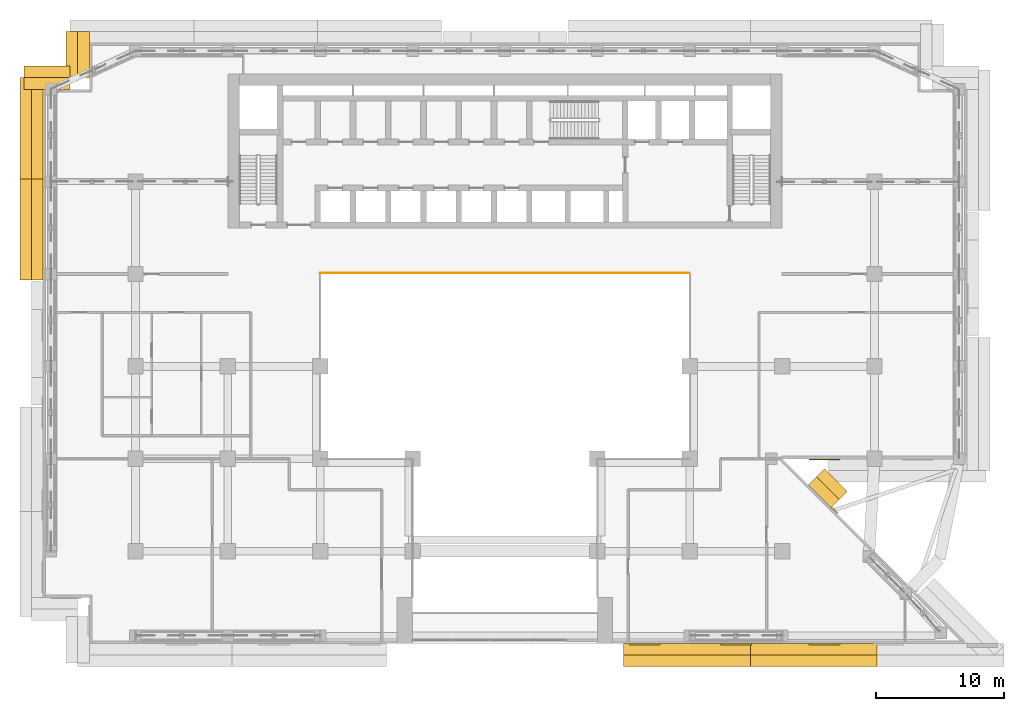
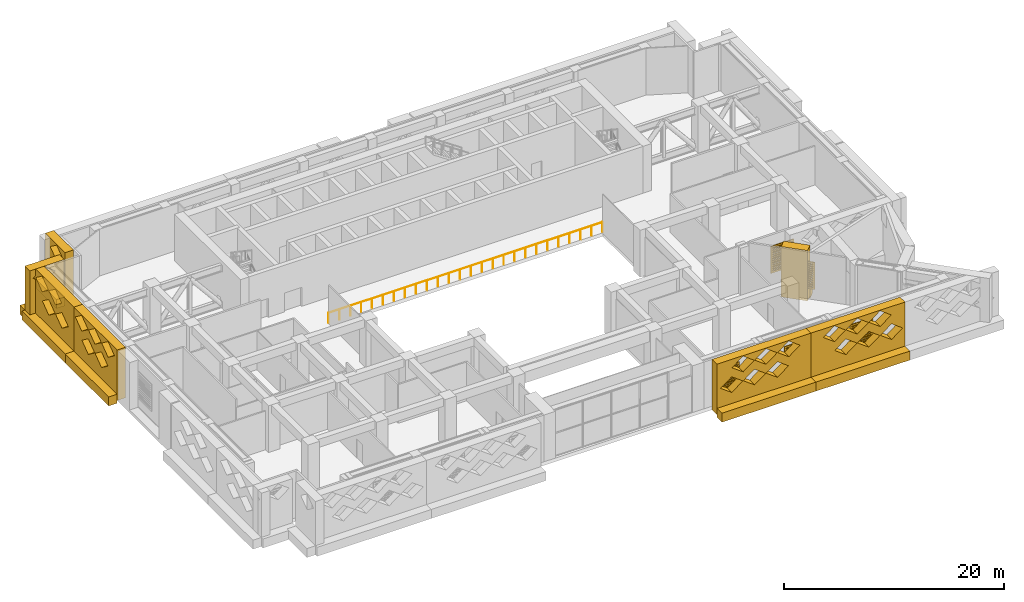
# One storey, part 16 of 19: 19 coverings, 1 railing.
"""IFC4 building model written with IfcOpenShell, lengths in metres."""

from ifc_helpers import new_model, si_unit, direction, frame, origin, origin_2d, place, context, subcontext, project, spatial, polyline, circle, outline, extrude, material, layer, layer_set, type_object, element, save


model = new_model("IFC4")

# Units and contexts
model_context = context("Model", 3, precision=1e-05, world=origin(), true_north=direction((0.0, 1.0)))
body_context = subcontext(model_context, "Body", "Model", "MODEL_VIEW")
ifc_project = project(units=[si_unit("LENGTHUNIT", "METRE"), si_unit("AREAUNIT", "SQUARE_METRE"), si_unit("VOLUMEUNIT", "CUBIC_METRE"), si_unit("PLANEANGLEUNIT", "RADIAN"), si_unit("MASSUNIT", "GRAM", prefix="KILO")], contexts=[model_context])

# Site, building, storey
site_placement = place(None, origin())
site = spatial("IfcSite", under=ifc_project, at=site_placement, CompositionType="ELEMENT")
building_placement = place(site_placement, origin())
building = spatial("IfcBuilding", under=site, at=building_placement, Name="Saffron Iwan Residences", CompositionType="ELEMENT")
storey_placement = place(building_placement, frame((0.0, 0.0, 107.5)))
storey = spatial("IfcBuildingStorey", under=building, at=storey_placement, Name="L28", CompositionType="ELEMENT", Elevation=107.5)

# Railing
ifc_material_1 = material(Name="Stainless steel 316", Category="steel")
railing_type = type_object("IfcRailingType", Name="Atrium guard 1150", PredefinedType="GUARDRAIL", material=ifc_material_1)
railing_placement = place(storey_placement, frame((36.0, 62.47509765625, 0.0)))
element("IfcRailing", 1, at=railing_placement, inside=storey, type_object=railing_type, Name="Atrium guard L28", PredefinedType="GUARDRAIL", context=body_context, shape_type="SweptSolid", body=[
    extrude(circle(Radius=0.02392578125, at=origin_2d()), frame((0.0, 0.0, 1.1259765625), z_axis=(1.0, 0.0, 0.0), x_axis=(0.0, 1.0, 0.0)), (0.0, 0.0, 1.0), 28.800048828125),
    extrude(circle(Radius=0.02099609375, at=origin_2d()), origin(), (0.0, 0.0, 1.0), 1.101806640625),
    extrude(circle(Radius=0.02099609375, at=origin_2d()), frame((1.152099609375, 0.0, 0.0)), (0.0, 0.0, 1.0), 1.101806640625),
    extrude(circle(Radius=0.02099609375, at=origin_2d()), frame((2.303955078125, 0.0, 0.0)), (0.0, 0.0, 1.0), 1.101806640625),
    extrude(circle(Radius=0.02099609375, at=origin_2d()), frame((3.4560546875, 0.0, 0.0)), (0.0, 0.0, 1.0), 1.101806640625),
    extrude(circle(Radius=0.02099609375, at=origin_2d()), frame((4.60791015625, 0.0, 0.0)), (0.0, 0.0, 1.0), 1.101806640625),
    extrude(circle(Radius=0.02099609375, at=origin_2d()), frame((5.760009765625, 0.0, 0.0)), (0.0, 0.0, 1.0), 1.101806640625),
    extrude(circle(Radius=0.02099609375, at=origin_2d()), frame((6.912109375, 0.0, 0.0)), (0.0, 0.0, 1.0), 1.101806640625),
    extrude(circle(Radius=0.02099609375, at=origin_2d()), frame((8.06396484375, 0.0, 0.0)), (0.0, 0.0, 1.0), 1.101806640625),
    extrude(circle(Radius=0.02099609375, at=origin_2d()), frame((9.216064453125, 0.0, 0.0)), (0.0, 0.0, 1.0), 1.101806640625),
    extrude(circle(Radius=0.02099609375, at=origin_2d()), frame((10.367919921875, 0.0, 0.0)), (0.0, 0.0, 1.0), 1.101806640625),
    extrude(circle(Radius=0.02099609375, at=origin_2d()), frame((11.52001953125, 0.0, 0.0)), (0.0, 0.0, 1.0), 1.101806640625),
    extrude(circle(Radius=0.02099609375, at=origin_2d()), frame((12.672119140625, 0.0, 0.0)), (0.0, 0.0, 1.0), 1.101806640625),
    extrude(circle(Radius=0.02099609375, at=origin_2d()), frame((13.823974609375, 0.0, 0.0)), (0.0, 0.0, 1.0), 1.101806640625),
    extrude(circle(Radius=0.02099609375, at=origin_2d()), frame((14.97607421875, 0.0, 0.0)), (0.0, 0.0, 1.0), 1.101806640625),
    extrude(circle(Radius=0.02099609375, at=origin_2d()), frame((16.1279296875, 0.0, 0.0)), (0.0, 0.0, 1.0), 1.101806640625),
    extrude(circle(Radius=0.02099609375, at=origin_2d()), frame((17.280029296875, 0.0, 0.0)), (0.0, 0.0, 1.0), 1.101806640625),
    extrude(circle(Radius=0.02099609375, at=origin_2d()), frame((18.43212890625, 0.0, 0.0)), (0.0, 0.0, 1.0), 1.101806640625),
    extrude(circle(Radius=0.02099609375, at=origin_2d()), frame((19.583984375, 0.0, 0.0)), (0.0, 0.0, 1.0), 1.101806640625),
    extrude(circle(Radius=0.02099609375, at=origin_2d()), frame((20.736083984375, 0.0, 0.0)), (0.0, 0.0, 1.0), 1.101806640625),
    extrude(circle(Radius=0.02099609375, at=origin_2d()), frame((21.887939453125, 0.0, 0.0)), (0.0, 0.0, 1.0), 1.101806640625),
    extrude(circle(Radius=0.02099609375, at=origin_2d()), frame((23.0400390625, 0.0, 0.0)), (0.0, 0.0, 1.0), 1.101806640625),
    extrude(circle(Radius=0.02099609375, at=origin_2d()), frame((24.192138671875, 0.0, 0.0)), (0.0, 0.0, 1.0), 1.101806640625),
    extrude(circle(Radius=0.02099609375, at=origin_2d()), frame((25.343994140625, 0.0, 0.0)), (0.0, 0.0, 1.0), 1.101806640625),
    extrude(circle(Radius=0.02099609375, at=origin_2d()), frame((26.49609375, 0.0, 0.0)), (0.0, 0.0, 1.0), 1.101806640625),
    extrude(circle(Radius=0.02099609375, at=origin_2d()), frame((27.64794921875, 0.0, 0.0)), (0.0, 0.0, 1.0), 1.101806640625),
    extrude(circle(Radius=0.02099609375, at=origin_2d()), frame((28.800048828125, 0.0, 0.0)), (0.0, 0.0, 1.0), 1.101806640625),
])

# Coverings
ifc_material_2 = material(Name="Precast concrete C40/50", Category="concrete")
covering_type_1 = type_object("IfcCoveringType", Name="OUTER SKIN LATTICE SCREEN", PredefinedType="CLADDING", material=ifc_material_2)
covering_1_placement = place(storey_placement, frame((75.805908203125, 44.194091796875, -0.39990234375), z_axis=(0.707106781187, 0.707106781187, 0.0), x_axis=(-0.707106781187, 0.707106781187, 0.0)))
element("IfcCovering", 2, at=covering_1_placement, inside=storey, type_object=covering_type_1, Name="OUTER SKIN lattice screen L28 F0.1", PredefinedType="CLADDING", context=body_context, shape_type="SweptSolid", body=[
    extrude(outline(polyline([(0.0, 0.0), (2.4853515625, 0.0), (2.4853515625, 5.60009765625), (0.0, 5.60009765625), (0.0, 0.0)])), origin(), (0.0, 0.0, 1.0), 0.900146484375),
])
for number, where, z_axis, x_axis, name in (
    (3, (18.0, 81.300048828125, -0.39990234375), (-1.0, 0.0, 0.0), (0.0, -1.0, 0.0), "OUTER SKIN lattice screen L28 F6.0"),
    (4, (16.5, 76.800048828125, -0.39990234375), (0.0, 1.0, 0.0), (-1.0, 0.0, 0.0), "OUTER SKIN lattice screen L28 F7.0"),
):
    element("IfcCovering", number, at=place(storey_placement, frame(where, z_axis=z_axis, x_axis=x_axis)), inside=storey, type_object=covering_type_1, Name=name, PredefinedType="CLADDING", context=body_context, shape_type="SweptSolid", body=[
        extrude(outline(polyline([(0.0, 0.0), (3.60009765625, 0.0), (3.60009765625, 5.60009765625), (0.0, 5.60009765625), (0.0, 0.0)]), holes=[polyline([(0.919921875, 4.666748046875), (2.10009765625, 3.793212890625), (3.280029296875, 4.666748046875), (2.10009765625, 5.5400390625), (0.919921875, 4.666748046875)])]), origin(), (0.0, 0.0, 1.0), 0.89990234375),
    ])
covering_2_placement = place(storey_placement, frame((14.39990234375, 77.699951171875, -0.39990234375), z_axis=(-1.0, 0.0, 0.0), x_axis=(0.0, -1.0, 0.0)))
element("IfcCovering", 5, at=covering_2_placement, inside=storey, type_object=covering_type_1, Name="OUTER SKIN lattice screen L28 F8.0", PredefinedType="CLADDING", context=body_context, shape_type="SweptSolid", body=[
    extrude(outline(polyline([(0.0, 0.0), (7.875, 0.0), (7.875, 5.60009765625), (0.0, 5.60009765625), (0.0, 0.0)]), holes=[polyline([(2.1201171875, 2.800048828125), (3.300048828125, 1.9267578125), (4.47998046875, 2.800048828125), (3.300048828125, 3.67333984375), (2.1201171875, 2.800048828125)]), polyline([(4.52001953125, 2.800048828125), (5.699951171875, 1.9267578125), (6.8798828125, 2.800048828125), (5.699951171875, 3.67333984375), (4.52001953125, 2.800048828125)]), polyline([(0.919921875, 4.666748046875), (2.10009765625, 3.793212890625), (3.280029296875, 4.666748046875), (2.10009765625, 5.5400390625), (0.919921875, 4.666748046875)]), polyline([(3.320068359375, 4.666748046875), (4.5, 3.793212890625), (5.679931640625, 4.666748046875), (4.5, 5.5400390625), (3.320068359375, 4.666748046875)])]), origin(), (0.0, 0.0, 1.0), 0.89990234375),
])
covering_3_placement = place(storey_placement, frame((14.39990234375, 69.824951171875, -0.39990234375), z_axis=(-1.0, 0.0, 0.0), x_axis=(0.0, -1.0, 0.0)))
element("IfcCovering", 6, at=covering_3_placement, inside=storey, type_object=covering_type_1, Name="OUTER SKIN lattice screen L28 F8.1", PredefinedType="CLADDING", context=body_context, shape_type="SweptSolid", body=[
    extrude(outline(polyline([(0.0, 0.0), (7.875, 0.0), (7.875, 5.60009765625), (0.0, 5.60009765625), (0.0, 0.0)]), holes=[polyline([(1.445068359375, 2.800048828125), (2.625, 1.9267578125), (3.804931640625, 2.800048828125), (2.625, 3.67333984375), (1.445068359375, 2.800048828125)]), polyline([(3.844970703125, 2.800048828125), (5.02490234375, 1.9267578125), (6.205078125, 2.800048828125), (5.02490234375, 3.67333984375), (3.844970703125, 2.800048828125)]), polyline([(0.2451171875, 4.666748046875), (1.425048828125, 3.793212890625), (2.60498046875, 4.666748046875), (1.425048828125, 5.5400390625), (0.2451171875, 4.666748046875)]), polyline([(2.64501953125, 4.666748046875), (3.824951171875, 3.793212890625), (5.0048828125, 4.666748046875), (3.824951171875, 5.5400390625), (2.64501953125, 4.666748046875)]), polyline([(5.044921875, 4.666748046875), (6.22509765625, 3.793212890625), (7.405029296875, 4.666748046875), (6.22509765625, 5.5400390625), (5.044921875, 4.666748046875)])]), origin(), (0.0, 0.0, 1.0), 0.89990234375),
])
covering_4_placement = place(storey_placement, frame((59.64990234375, 33.60009765625, -0.39990234375), z_axis=(0.0, -1.0, 0.0), x_axis=(1.0, 0.0, 0.0)))
element("IfcCovering", 7, at=covering_4_placement, inside=storey, type_object=covering_type_1, Name="OUTER SKIN lattice screen L28 F11.2", PredefinedType="CLADDING", context=body_context, shape_type="SweptSolid", body=[
    extrude(outline(polyline([(0.0, 0.0), (9.88232421875, 0.0), (9.88232421875, 5.60009765625), (0.0, 5.60009765625), (0.0, 0.0)]), holes=[polyline([(0.3701171875, 2.800048828125), (1.550048828125, 1.9267578125), (2.72998046875, 2.800048828125), (1.550048828125, 3.67333984375), (0.3701171875, 2.800048828125)]), polyline([(2.77001953125, 2.800048828125), (3.949951171875, 1.9267578125), (5.1298828125, 2.800048828125), (3.949951171875, 3.67333984375), (2.77001953125, 2.800048828125)]), polyline([(5.169921875, 2.800048828125), (6.35009765625, 1.9267578125), (7.530029296875, 2.800048828125), (6.35009765625, 3.67333984375), (5.169921875, 2.800048828125)]), polyline([(1.570068359375, 4.666748046875), (2.75, 3.793212890625), (3.929931640625, 4.666748046875), (2.75, 5.5400390625), (1.570068359375, 4.666748046875)]), polyline([(3.969970703125, 4.666748046875), (5.14990234375, 3.793212890625), (6.330078125, 4.666748046875), (5.14990234375, 5.5400390625), (3.969970703125, 4.666748046875)]), polyline([(6.3701171875, 4.666748046875), (7.550048828125, 3.793212890625), (8.72998046875, 4.666748046875), (7.550048828125, 5.5400390625), (6.3701171875, 4.666748046875)])]), origin(), (0.0, 0.0, 1.0), 0.900146484375),
])
covering_5_placement = place(storey_placement, frame((69.532470703125, 33.60009765625, -0.39990234375), z_axis=(0.0, -1.0, 0.0), x_axis=(1.0, 0.0, 0.0)))
element("IfcCovering", 8, at=covering_5_placement, inside=storey, type_object=covering_type_1, Name="OUTER SKIN lattice screen L28 F11.3", PredefinedType="CLADDING", context=body_context, shape_type="SweptSolid", body=[
    extrude(outline(polyline([(0.0, 0.0), (9.88232421875, 0.0), (9.88232421875, 5.60009765625), (0.0, 5.60009765625), (0.0, 0.0)]), holes=[polyline([(2.487548828125, 2.800048828125), (3.66748046875, 1.9267578125), (4.84765625, 2.800048828125), (3.66748046875, 3.67333984375), (2.487548828125, 2.800048828125)]), polyline([(4.8876953125, 2.800048828125), (6.067626953125, 1.9267578125), (7.24755859375, 2.800048828125), (6.067626953125, 3.67333984375), (4.8876953125, 2.800048828125)]), polyline([(7.28759765625, 2.800048828125), (8.467529296875, 1.9267578125), (9.647705078125, 2.800048828125), (8.467529296875, 3.67333984375), (7.28759765625, 2.800048828125)]), polyline([(1.28759765625, 4.666748046875), (2.467529296875, 3.793212890625), (3.647705078125, 4.666748046875), (2.467529296875, 5.5400390625), (1.28759765625, 4.666748046875)]), polyline([(3.6875, 4.666748046875), (4.86767578125, 3.793212890625), (6.047607421875, 4.666748046875), (4.86767578125, 5.5400390625), (3.6875, 4.666748046875)]), polyline([(6.087646484375, 4.666748046875), (7.267578125, 3.793212890625), (8.447509765625, 4.666748046875), (7.267578125, 5.5400390625), (6.087646484375, 4.666748046875)])]), origin(), (0.0, 0.0, 1.0), 0.900146484375),
])
ifc_material_3 = material(Name="Aluminium 6063-T6 louvre", Category="aluminium")
covering_type_2 = type_object("IfcCoveringType", Name="PLANT LOUVRE PANEL 2400 x 3000", PredefinedType="CLADDING", material=ifc_material_3)
covering_6_placement = place(storey_placement, frame((76.289306640625, 43.710693359375, 1.0), z_axis=(0.708326979978, 0.705884473151, 0.0), x_axis=(-0.705884473151, 0.708326979978, 0.0)))
element("IfcCovering", 9, at=covering_6_placement, inside=storey, type_object=covering_type_2, Name="Plant louvre L28 F0.0", PredefinedType="CLADDING", context=body_context, shape_type="SweptSolid", body=[
    extrude(outline(polyline([(0.0, 0.0), (2.39990234375, 0.0), (2.39990234375, 3.0), (0.0, 3.0), (0.0, 0.0)]), holes=[polyline([(0.14990234375, 0.199951171875), (2.25, 0.199951171875), (2.25, 0.2900390625), (0.14990234375, 0.2900390625), (0.14990234375, 0.199951171875)]), polyline([(0.14990234375, 0.429931640625), (2.25, 0.429931640625), (2.25, 0.52001953125), (0.14990234375, 0.52001953125), (0.14990234375, 0.429931640625)]), polyline([(0.14990234375, 0.659912109375), (2.25, 0.659912109375), (2.25, 0.75), (0.14990234375, 0.75), (0.14990234375, 0.659912109375)]), polyline([(0.14990234375, 0.889892578125), (2.25, 0.889892578125), (2.25, 0.97998046875), (0.14990234375, 0.97998046875), (0.14990234375, 0.889892578125)]), polyline([(0.14990234375, 1.1201171875), (2.25, 1.1201171875), (2.25, 1.2099609375), (0.14990234375, 1.2099609375), (0.14990234375, 1.1201171875)]), polyline([(0.14990234375, 1.35009765625), (2.25, 1.35009765625), (2.25, 1.43994140625), (0.14990234375, 1.43994140625), (0.14990234375, 1.35009765625)]), polyline([(0.14990234375, 1.580078125), (2.25, 1.580078125), (2.25, 1.669921875), (0.14990234375, 1.669921875), (0.14990234375, 1.580078125)]), polyline([(0.14990234375, 1.81005859375), (2.25, 1.81005859375), (2.25, 1.89990234375), (0.14990234375, 1.89990234375), (0.14990234375, 1.81005859375)]), polyline([(0.14990234375, 2.0400390625), (2.25, 2.0400390625), (2.25, 2.1298828125), (0.14990234375, 2.1298828125), (0.14990234375, 2.0400390625)]), polyline([(0.14990234375, 2.27001953125), (2.25, 2.27001953125), (2.25, 2.360107421875), (0.14990234375, 2.360107421875), (0.14990234375, 2.27001953125)]), polyline([(0.14990234375, 2.5), (2.25, 2.5), (2.25, 2.590087890625), (0.14990234375, 2.590087890625), (0.14990234375, 2.5)]), polyline([(0.14990234375, 2.72998046875), (2.25, 2.72998046875), (2.25, 2.820068359375), (0.14990234375, 2.820068359375), (0.14990234375, 2.72998046875)])]), origin(), (0.0, 0.0, 1.0), 0.099853515625),
])
covering_7_placement = place(storey_placement, frame((74.10009765625, 48.0, 1.0), z_axis=(0.0, -1.0, 0.0), x_axis=(1.0, 0.0, 0.0)))
element("IfcCovering", 10, at=covering_7_placement, inside=storey, type_object=covering_type_2, Name="Plant louvre L28 F1.0", PredefinedType="CLADDING", context=body_context, shape_type="SweptSolid", body=[
    extrude(outline(polyline([(0.0, 0.0), (2.39990234375, 0.0), (2.39990234375, 3.0), (0.0, 3.0), (0.0, 0.0)]), holes=[polyline([(0.14990234375, 0.199951171875), (2.25, 0.199951171875), (2.25, 0.2900390625), (0.14990234375, 0.2900390625), (0.14990234375, 0.199951171875)]), polyline([(0.14990234375, 0.429931640625), (2.25, 0.429931640625), (2.25, 0.52001953125), (0.14990234375, 0.52001953125), (0.14990234375, 0.429931640625)]), polyline([(0.14990234375, 0.659912109375), (2.25, 0.659912109375), (2.25, 0.75), (0.14990234375, 0.75), (0.14990234375, 0.659912109375)]), polyline([(0.14990234375, 0.889892578125), (2.25, 0.889892578125), (2.25, 0.97998046875), (0.14990234375, 0.97998046875), (0.14990234375, 0.889892578125)]), polyline([(0.14990234375, 1.1201171875), (2.25, 1.1201171875), (2.25, 1.2099609375), (0.14990234375, 1.2099609375), (0.14990234375, 1.1201171875)]), polyline([(0.14990234375, 1.35009765625), (2.25, 1.35009765625), (2.25, 1.43994140625), (0.14990234375, 1.43994140625), (0.14990234375, 1.35009765625)]), polyline([(0.14990234375, 1.580078125), (2.25, 1.580078125), (2.25, 1.669921875), (0.14990234375, 1.669921875), (0.14990234375, 1.580078125)]), polyline([(0.14990234375, 1.81005859375), (2.25, 1.81005859375), (2.25, 1.89990234375), (0.14990234375, 1.89990234375), (0.14990234375, 1.81005859375)]), polyline([(0.14990234375, 2.0400390625), (2.25, 2.0400390625), (2.25, 2.1298828125), (0.14990234375, 2.1298828125), (0.14990234375, 2.0400390625)]), polyline([(0.14990234375, 2.27001953125), (2.25, 2.27001953125), (2.25, 2.360107421875), (0.14990234375, 2.360107421875), (0.14990234375, 2.27001953125)]), polyline([(0.14990234375, 2.5), (2.25, 2.5), (2.25, 2.590087890625), (0.14990234375, 2.590087890625), (0.14990234375, 2.5)]), polyline([(0.14990234375, 2.72998046875), (2.25, 2.72998046875), (2.25, 2.820068359375), (0.14990234375, 2.820068359375), (0.14990234375, 2.72998046875)])]), origin(), (0.0, 0.0, 1.0), 0.10009765625),
])
covering_8_placement = place(storey_placement, frame((60.10009765625, 33.60009765625, 1.0), z_axis=(0.0, -1.0, 0.0), x_axis=(1.0, 0.0, 0.0)))
element("IfcCovering", 11, at=covering_8_placement, inside=storey, type_object=covering_type_2, Name="Plant louvre L28 F11.0", PredefinedType="CLADDING", context=body_context, shape_type="SweptSolid", body=[
    extrude(outline(polyline([(0.0, 0.0), (2.39990234375, 0.0), (2.39990234375, 3.0), (0.0, 3.0), (0.0, 0.0)]), holes=[polyline([(0.14990234375, 0.199951171875), (2.25, 0.199951171875), (2.25, 0.2900390625), (0.14990234375, 0.2900390625), (0.14990234375, 0.199951171875)]), polyline([(0.14990234375, 0.429931640625), (2.25, 0.429931640625), (2.25, 0.52001953125), (0.14990234375, 0.52001953125), (0.14990234375, 0.429931640625)]), polyline([(0.14990234375, 0.659912109375), (2.25, 0.659912109375), (2.25, 0.75), (0.14990234375, 0.75), (0.14990234375, 0.659912109375)]), polyline([(0.14990234375, 0.889892578125), (2.25, 0.889892578125), (2.25, 0.97998046875), (0.14990234375, 0.97998046875), (0.14990234375, 0.889892578125)]), polyline([(0.14990234375, 1.1201171875), (2.25, 1.1201171875), (2.25, 1.2099609375), (0.14990234375, 1.2099609375), (0.14990234375, 1.1201171875)]), polyline([(0.14990234375, 1.35009765625), (2.25, 1.35009765625), (2.25, 1.43994140625), (0.14990234375, 1.43994140625), (0.14990234375, 1.35009765625)]), polyline([(0.14990234375, 1.580078125), (2.25, 1.580078125), (2.25, 1.669921875), (0.14990234375, 1.669921875), (0.14990234375, 1.580078125)]), polyline([(0.14990234375, 1.81005859375), (2.25, 1.81005859375), (2.25, 1.89990234375), (0.14990234375, 1.89990234375), (0.14990234375, 1.81005859375)]), polyline([(0.14990234375, 2.0400390625), (2.25, 2.0400390625), (2.25, 2.1298828125), (0.14990234375, 2.1298828125), (0.14990234375, 2.0400390625)]), polyline([(0.14990234375, 2.27001953125), (2.25, 2.27001953125), (2.25, 2.360107421875), (0.14990234375, 2.360107421875), (0.14990234375, 2.27001953125)]), polyline([(0.14990234375, 2.5), (2.25, 2.5), (2.25, 2.590087890625), (0.14990234375, 2.590087890625), (0.14990234375, 2.5)]), polyline([(0.14990234375, 2.72998046875), (2.25, 2.72998046875), (2.25, 2.820068359375), (0.14990234375, 2.820068359375), (0.14990234375, 2.72998046875)])]), origin(), (0.0, 0.0, 1.0), 0.10009765625),
])
covering_9_placement = place(storey_placement, frame((67.199951171875, 33.60009765625, 1.0), z_axis=(0.0, -1.0, 0.0), x_axis=(1.0, 0.0, 0.0)))
element("IfcCovering", 12, at=covering_9_placement, inside=storey, type_object=covering_type_2, Name="Plant louvre L28 F11.1", PredefinedType="CLADDING", context=body_context, shape_type="SweptSolid", body=[
    extrude(outline(polyline([(0.0, 0.0), (2.39990234375, 0.0), (2.39990234375, 3.0), (0.0, 3.0), (0.0, 0.0)]), holes=[polyline([(0.14990234375, 0.199951171875), (2.25, 0.199951171875), (2.25, 0.2900390625), (0.14990234375, 0.2900390625), (0.14990234375, 0.199951171875)]), polyline([(0.14990234375, 0.429931640625), (2.25, 0.429931640625), (2.25, 0.52001953125), (0.14990234375, 0.52001953125), (0.14990234375, 0.429931640625)]), polyline([(0.14990234375, 0.659912109375), (2.25, 0.659912109375), (2.25, 0.75), (0.14990234375, 0.75), (0.14990234375, 0.659912109375)]), polyline([(0.14990234375, 0.889892578125), (2.25, 0.889892578125), (2.25, 0.97998046875), (0.14990234375, 0.97998046875), (0.14990234375, 0.889892578125)]), polyline([(0.14990234375, 1.1201171875), (2.25, 1.1201171875), (2.25, 1.2099609375), (0.14990234375, 1.2099609375), (0.14990234375, 1.1201171875)]), polyline([(0.14990234375, 1.35009765625), (2.25, 1.35009765625), (2.25, 1.43994140625), (0.14990234375, 1.43994140625), (0.14990234375, 1.35009765625)]), polyline([(0.14990234375, 1.580078125), (2.25, 1.580078125), (2.25, 1.669921875), (0.14990234375, 1.669921875), (0.14990234375, 1.580078125)]), polyline([(0.14990234375, 1.81005859375), (2.25, 1.81005859375), (2.25, 1.89990234375), (0.14990234375, 1.89990234375), (0.14990234375, 1.81005859375)]), polyline([(0.14990234375, 2.0400390625), (2.25, 2.0400390625), (2.25, 2.1298828125), (0.14990234375, 2.1298828125), (0.14990234375, 2.0400390625)]), polyline([(0.14990234375, 2.27001953125), (2.25, 2.27001953125), (2.25, 2.360107421875), (0.14990234375, 2.360107421875), (0.14990234375, 2.27001953125)]), polyline([(0.14990234375, 2.5), (2.25, 2.5), (2.25, 2.590087890625), (0.14990234375, 2.590087890625), (0.14990234375, 2.5)]), polyline([(0.14990234375, 2.72998046875), (2.25, 2.72998046875), (2.25, 2.820068359375), (0.14990234375, 2.820068359375), (0.14990234375, 2.72998046875)])]), origin(), (0.0, 0.0, 1.0), 0.10009765625),
])
covering_10_placement = place(storey_placement, frame((74.116943359375, 33.60009765625, 1.0), z_axis=(0.0, -1.0, 0.0), x_axis=(1.0, 0.0, 0.0)))
element("IfcCovering", 13, at=covering_10_placement, inside=storey, type_object=covering_type_2, Name="Plant louvre L28 F11.2", PredefinedType="CLADDING", context=body_context, shape_type="SweptSolid", body=[
    extrude(outline(polyline([(0.0, 0.0), (2.39990234375, 0.0), (2.39990234375, 3.0), (0.0, 3.0), (0.0, 0.0)]), holes=[polyline([(0.14990234375, 0.199951171875), (2.25, 0.199951171875), (2.25, 0.2900390625), (0.14990234375, 0.2900390625), (0.14990234375, 0.199951171875)]), polyline([(0.14990234375, 0.429931640625), (2.25, 0.429931640625), (2.25, 0.52001953125), (0.14990234375, 0.52001953125), (0.14990234375, 0.429931640625)]), polyline([(0.14990234375, 0.659912109375), (2.25, 0.659912109375), (2.25, 0.75), (0.14990234375, 0.75), (0.14990234375, 0.659912109375)]), polyline([(0.14990234375, 0.889892578125), (2.25, 0.889892578125), (2.25, 0.97998046875), (0.14990234375, 0.97998046875), (0.14990234375, 0.889892578125)]), polyline([(0.14990234375, 1.1201171875), (2.25, 1.1201171875), (2.25, 1.2099609375), (0.14990234375, 1.2099609375), (0.14990234375, 1.1201171875)]), polyline([(0.14990234375, 1.35009765625), (2.25, 1.35009765625), (2.25, 1.43994140625), (0.14990234375, 1.43994140625), (0.14990234375, 1.35009765625)]), polyline([(0.14990234375, 1.580078125), (2.25, 1.580078125), (2.25, 1.669921875), (0.14990234375, 1.669921875), (0.14990234375, 1.580078125)]), polyline([(0.14990234375, 1.81005859375), (2.25, 1.81005859375), (2.25, 1.89990234375), (0.14990234375, 1.89990234375), (0.14990234375, 1.81005859375)]), polyline([(0.14990234375, 2.0400390625), (2.25, 2.0400390625), (2.25, 2.1298828125), (0.14990234375, 2.1298828125), (0.14990234375, 2.0400390625)]), polyline([(0.14990234375, 2.27001953125), (2.25, 2.27001953125), (2.25, 2.360107421875), (0.14990234375, 2.360107421875), (0.14990234375, 2.27001953125)]), polyline([(0.14990234375, 2.5), (2.25, 2.5), (2.25, 2.590087890625), (0.14990234375, 2.590087890625), (0.14990234375, 2.5)]), polyline([(0.14990234375, 2.72998046875), (2.25, 2.72998046875), (2.25, 2.820068359375), (0.14990234375, 2.820068359375), (0.14990234375, 2.72998046875)])]), origin(), (0.0, 0.0, 1.0), 0.10009765625),
])
ifc_material_4 = material(Name="Precast concrete C40/50 white painted", Category="concrete")
ifc_layer = layer(ifc_material_4, 0.89990234375)
ifc_layer_set = layer_set([ifc_layer], Name="Precast concrete C40/50 white painted")
covering_type_3 = type_object("IfcCoveringType", Name="WHITE EDGE BAND 900 x 1000", PredefinedType="CLADDING", material=ifc_layer_set)
covering_11_placement = place(storey_placement, frame((0.0, 0.0, -0.699951171875)))
element("IfcCovering", 14, at=covering_11_placement, inside=storey, type_object=covering_type_3, Name="White edge band L28 F0.1", PredefinedType="CLADDING", context=body_context, shape_type="SweptSolid", body=[
    extrude(outline(polyline([(77.07861328125, 45.466796875), (75.3212890625, 47.224365234375), (74.684814453125, 46.587890625), (76.4423828125, 44.83056640625), (77.07861328125, 45.466796875)])), origin(), (0.0, 0.0, 1.0), 1.0),
])
covering_12_placement = place(storey_placement, frame((0.0, 0.0, -0.699951171875)))
element("IfcCovering", 15, at=covering_12_placement, inside=storey, type_object=covering_type_3, Name="White edge band L28 F6.0", PredefinedType="CLADDING", context=body_context, shape_type="SweptSolid", body=[
    extrude(outline(polyline([(16.199951171875, 81.300048828125), (16.199951171875, 77.699951171875), (17.10009765625, 77.699951171875), (17.10009765625, 81.300048828125), (16.199951171875, 81.300048828125)])), origin(), (0.0, 0.0, 1.0), 1.0),
])
covering_13_placement = place(storey_placement, frame((0.0, 0.0, -0.699951171875)))
element("IfcCovering", 16, at=covering_13_placement, inside=storey, type_object=covering_type_3, Name="White edge band L28 F7.0", PredefinedType="CLADDING", context=body_context, shape_type="SweptSolid", body=[
    extrude(outline(polyline([(16.5, 78.60009765625), (12.89990234375, 78.60009765625), (12.89990234375, 77.699951171875), (16.5, 77.699951171875), (16.5, 78.60009765625)])), origin(), (0.0, 0.0, 1.0), 1.0),
])
covering_14_placement = place(storey_placement, frame((0.0, 0.0, -0.699951171875)))
element("IfcCovering", 17, at=covering_14_placement, inside=storey, type_object=covering_type_3, Name="White edge band L28 F8.0", PredefinedType="CLADDING", context=body_context, shape_type="SweptSolid", body=[
    extrude(outline(polyline([(12.60009765625, 77.699951171875), (12.60009765625, 69.824951171875), (13.5, 69.824951171875), (13.5, 77.699951171875), (12.60009765625, 77.699951171875)])), origin(), (0.0, 0.0, 1.0), 1.0),
])
covering_15_placement = place(storey_placement, frame((0.0, 0.0, -0.699951171875)))
element("IfcCovering", 18, at=covering_15_placement, inside=storey, type_object=covering_type_3, Name="White edge band L28 F8.1", PredefinedType="CLADDING", context=body_context, shape_type="SweptSolid", body=[
    extrude(outline(polyline([(12.60009765625, 69.824951171875), (12.60009765625, 61.949951171875), (13.5, 61.949951171875), (13.5, 69.824951171875), (12.60009765625, 69.824951171875)])), origin(), (0.0, 0.0, 1.0), 1.0),
])
covering_16_placement = place(storey_placement, frame((0.0, 0.0, -0.699951171875)))
element("IfcCovering", 19, at=covering_16_placement, inside=storey, type_object=covering_type_3, Name="White edge band L28 F11.2", PredefinedType="CLADDING", context=body_context, shape_type="SweptSolid", body=[
    extrude(outline(polyline([(59.64990234375, 31.800048828125), (69.532470703125, 31.800048828125), (69.532470703125, 32.699951171875), (59.64990234375, 32.699951171875), (59.64990234375, 31.800048828125)])), origin(), (0.0, 0.0, 1.0), 1.0),
])
covering_17_placement = place(storey_placement, frame((0.0, 0.0, -0.699951171875)))
element("IfcCovering", 20, at=covering_17_placement, inside=storey, type_object=covering_type_3, Name="White edge band L28 F11.3", PredefinedType="CLADDING", context=body_context, shape_type="SweptSolid", body=[
    extrude(outline(polyline([(69.532470703125, 31.800048828125), (79.414794921875, 31.800048828125), (79.414794921875, 32.699951171875), (69.532470703125, 32.699951171875), (69.532470703125, 31.800048828125)])), origin(), (0.0, 0.0, 1.0), 1.0),
])

save(model, "model.ifc")
